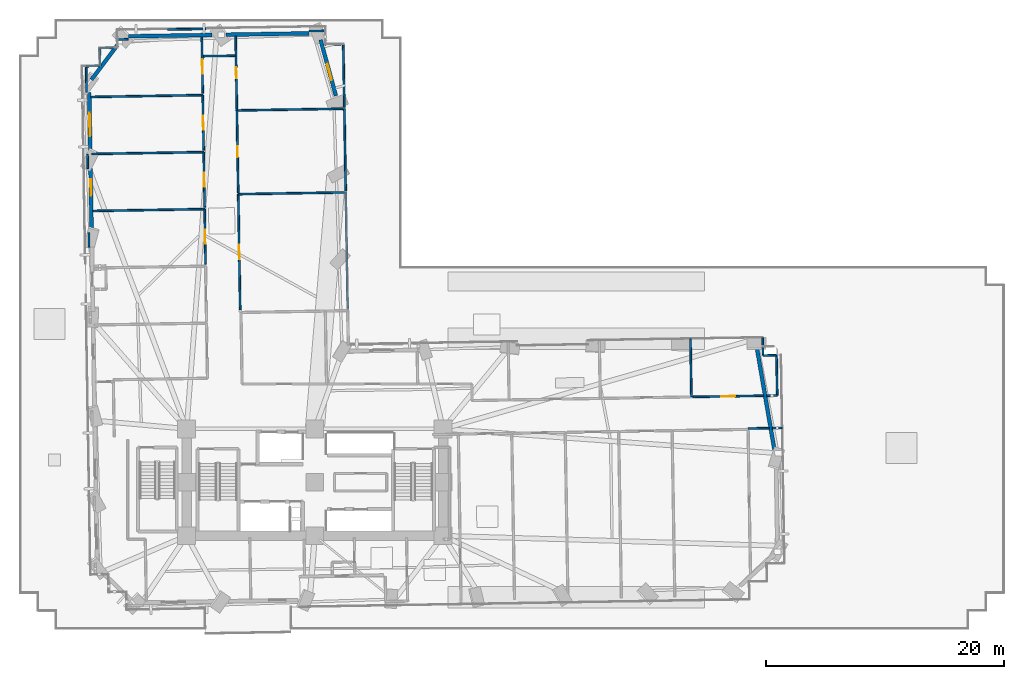
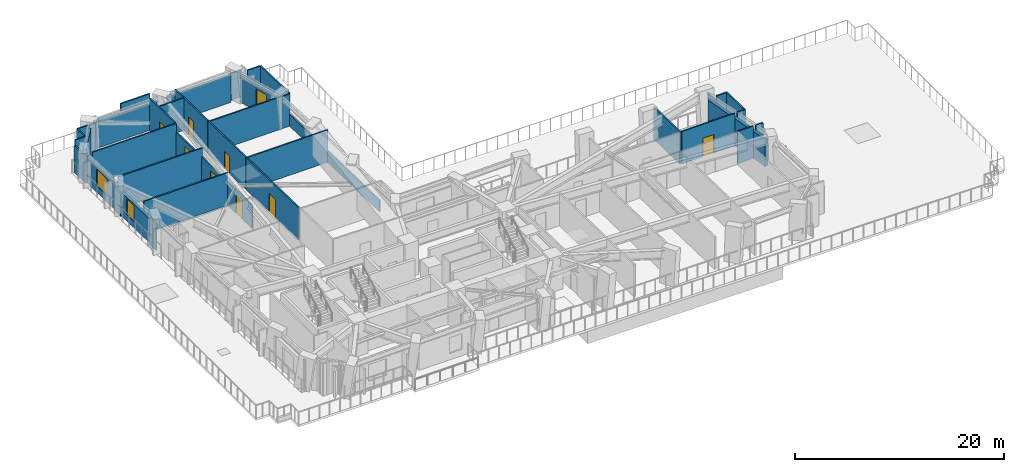
# One storey, part 9 of 17: 41 walls, 8 doors, 3 windows, 11 openings.
"""IFC4 building model written with IfcOpenShell, lengths in metres."""

from ifc_helpers import new_model, si_unit, direction, frame, frame_2d, origin, place, context, subcontext, project, spatial, rectangle, extrude, material, layer, layer_set, type_object, element, fill, save


model = new_model("IFC4")

# Units and contexts
model_context = context("Model", 3, precision=1e-05, world=origin(), true_north=direction((0.0, 1.0)))
body_context = subcontext(model_context, "Body", "Model", "MODEL_VIEW")
ifc_project = project(units=[si_unit("LENGTHUNIT", "METRE"), si_unit("AREAUNIT", "SQUARE_METRE"), si_unit("VOLUMEUNIT", "CUBIC_METRE"), si_unit("PLANEANGLEUNIT", "RADIAN"), si_unit("MASSUNIT", "GRAM", prefix="KILO")], contexts=[model_context])

# Site, building, storey
site_placement = place(None, origin())
site = spatial("IfcSite", under=ifc_project, at=site_placement, CompositionType="ELEMENT")
building_placement = place(site_placement, origin())
building = spatial("IfcBuilding", under=site, at=building_placement, Name="Gaonmaruhae Medical Tower", CompositionType="ELEMENT")
storey_placement = place(building_placement, frame((0.0, 0.0, 27.0)))
storey = spatial("IfcBuildingStorey", under=building, at=storey_placement, Name="L05", CompositionType="ELEMENT", Elevation=27.0)

# Wall
ifc_material_1 = material(Name="Precast concrete C45/55", Category="concrete")
ifc_layer_1 = layer(ifc_material_1, 0.320068359375)
ifc_layer_set_1 = layer_set([ifc_layer_1], Name="Precast concrete C45/55")
wall_type_1 = type_object("IfcWallType", Name="EW-320 Lower Precast Masonry-Frame Facade Wall", PredefinedType="SOLIDWALL", material=ifc_layer_set_1)
wall_1_placement = place(storey_placement, frame((62.031982421875, 23.55029296875, 0.0), z_axis=(0.0, 0.0, 1.0), x_axis=(0.169181724712, -0.985584874084, 0.0)))
element("IfcWall", 1, at=wall_1_placement, inside=storey, type_object=wall_type_1, Name="L05 Precast Masonry-Frame Wall E02-E03", PredefinedType="SOLIDWALL", context=body_context, shape_type="SweptSolid", body=[
    extrude(rectangle(XDim=8.61376953125, YDim=0.320068359375, at=frame_2d((4.306884765625, 0.0))), origin(), (0.0, 0.0, 1.0), 3.1650390625),
])

# Wall, opening, window
wall_2_placement = place(storey_placement, frame((25.28271484375, 49.55322265625, 0.0), z_axis=(0.0, 0.0, 1.0), x_axis=(0.264363677321, -0.964423063864, 0.0)))
wall_2 = element("IfcWall", 2, at=wall_2_placement, inside=storey, type_object=wall_type_1, Name="L05 Precast Masonry-Frame Wall NE03-N01", PredefinedType="SOLIDWALL", context=body_context, shape_type="SweptSolid", body=[
    extrude(rectangle(XDim=4.888916015625, YDim=0.320068359375, at=frame_2d((2.4443359375, 0.0))), origin(), (0.0, 0.0, 1.0), 3.1650390625),
])
opening_1_placement = place(wall_2_placement, frame((2.11474609375, 0.0, 0.75)))
opening_1 = element("IfcOpeningElement", 3, at=opening_1_placement, cuts=wall_2, Name="Opening WN-03", PredefinedType="OPENING", context=body_context, shape_type="SweptSolid", body=[
    extrude(rectangle(XDim=1.39990234375, YDim=1.85009765625, at=frame_2d((0.699951171875, 0.925048828125))), frame((0.0, 0.169921875, 0.0), z_axis=(0.0, -1.0, 0.0), x_axis=(1.0, 0.0, 0.0)), (0.0, 0.0, 1.0), 0.340087890625),
])
ifc_material_2 = material(Name="Anodised aluminium and Low-E double glazing", Category="aluminium")
window_type_1 = type_object("IfcWindowType", Name="WN-03 Isolation Ward Punched Window 1400x1850", PartitioningType="SINGLE_PANEL", PredefinedType="WINDOW", material=ifc_material_2)
window_1_placement = place(opening_1_placement, origin())
window_1 = element("IfcWindow", 4, at=window_1_placement, inside=storey, type_object=window_type_1, Name="L05 Modular Facade Window NE03", OverallHeight=1.85009765625, OverallWidth=1.39990234375, PartitioningType="SINGLE_PANEL", PredefinedType="WINDOW", context=body_context, shape_type="SweptSolid", body=[
    extrude(rectangle(XDim=1.39990234375, YDim=1.85009765625, at=frame_2d((0.699951171875, 0.925048828125))), frame((0.0, 0.030029296875, 0.0), z_axis=(0.0, -1.0, 0.0), x_axis=(1.0, 0.0, 0.0)), (0.0, 0.0, 1.0), 0.06005859375),
])
fill(opening_1, window_1)

# Walls
wall_3_placement = place(storey_placement, frame((17.312744140625, 49.9833984375, 0.0), z_axis=(0.0, 0.0, 1.0), x_axis=(0.999862299377, 0.016594646252, 0.0)))
element("IfcWall", 5, at=wall_3_placement, inside=storey, type_object=wall_type_1, Name="L05 Precast Masonry-Frame Wall N01-N02", PredefinedType="SOLIDWALL", context=body_context, shape_type="SweptSolid", body=[
    extrude(rectangle(XDim=7.0029296875, YDim=0.320068359375, at=frame_2d((3.50146484375, 0.0))), origin(), (0.0, 0.0, 1.0), 3.1650390625),
])
wall_4_placement = place(storey_placement, frame((9.094482421875, 49.84716796875, 0.0), z_axis=(0.0, 0.0, 1.0), x_axis=(0.999862390116, 0.016589178149, 0.0)))
element("IfcWall", 6, at=wall_4_placement, inside=storey, type_object=wall_type_1, Name="L05 Precast Masonry-Frame Wall N02-N03", PredefinedType="SOLIDWALL", context=body_context, shape_type="SweptSolid", body=[
    extrude(rectangle(XDim=7.03466796875, YDim=0.320068359375, at=frame_2d((3.517333984375, 0.0))), origin(), (0.0, 0.0, 1.0), 3.1650390625),
])
wall_5_placement = place(storey_placement, frame((5.987060546875, 46.1962890625, 0.0), z_axis=(0.0, 0.0, 1.0), x_axis=(0.601490696444, 0.798879804533, 0.0)))
element("IfcWall", 7, at=wall_5_placement, inside=storey, type_object=wall_type_1, Name="L05 Precast Masonry-Frame Wall N03-W01", PredefinedType="SOLIDWALL", context=body_context, shape_type="SweptSolid", body=[
    extrude(rectangle(XDim=3.666015625, YDim=0.320068359375, at=frame_2d((1.8330078125, 0.0))), origin(), (0.0, 0.0, 1.0), 3.1650390625),
])

# Wall, opening, window
wall_6_placement = place(storey_placement, frame((5.895751953125, 39.9091796875, 0.0), z_axis=(0.0, 0.0, 1.0), x_axis=(-0.016593479648, 0.999862318739, 0.0)))
wall_6 = element("IfcWall", 8, at=wall_6_placement, inside=storey, type_object=wall_type_1, Name="L05 Precast Masonry-Frame Wall W01-W02", PredefinedType="SOLIDWALL", context=body_context, shape_type="SweptSolid", body=[
    extrude(rectangle(XDim=5.22314453125, YDim=0.320068359375, at=frame_2d((2.611572265625, 0.0))), origin(), (0.0, 0.0, 1.0), 3.1650390625),
])
opening_2_placement = place(wall_6_placement, frame((1.513427734375, 0.0, 0.75)))
opening_2 = element("IfcOpeningElement", 9, at=opening_2_placement, cuts=wall_6, Name="Opening WN-02", PredefinedType="OPENING", context=body_context, shape_type="SweptSolid", body=[
    extrude(rectangle(XDim=2.0, YDim=1.949951171875, at=frame_2d((1.0, 0.97509765625))), frame((0.0, 0.169921875, 0.0), z_axis=(0.0, -1.0, 0.0), x_axis=(1.0, 0.0, 0.0)), (0.0, 0.0, 1.0), 0.340087890625),
])
window_type_2 = type_object("IfcWindowType", Name="WN-02 Double-Bed Ward Punched Window 2000x1950", PartitioningType="SINGLE_PANEL", PredefinedType="WINDOW", material=ifc_material_2)
window_2_placement = place(opening_2_placement, origin())
window_2 = element("IfcWindow", 10, at=window_2_placement, inside=storey, type_object=window_type_2, Name="L05 Modular Facade Window W01", OverallHeight=1.949951171875, OverallWidth=2.0, PartitioningType="SINGLE_PANEL", PredefinedType="WINDOW", context=body_context, shape_type="SweptSolid", body=[
    extrude(rectangle(XDim=2.0, YDim=1.949951171875, at=frame_2d((1.0, 0.97509765625))), frame((0.0, 0.030029296875, 0.0), z_axis=(0.0, -1.0, 0.0), x_axis=(1.0, 0.0, 0.0)), (0.0, 0.0, 1.0), 0.06005859375),
])
fill(opening_2, window_2)

wall_7_placement = place(storey_placement, frame((6.0048828125, 33.3193359375, 0.0), z_axis=(0.0, 0.0, 1.0), x_axis=(-0.016590536617, 0.999862367576, 0.0)))
wall_7 = element("IfcWall", 11, at=wall_7_placement, inside=storey, type_object=wall_type_1, Name="L05 Precast Masonry-Frame Wall W02-W03", PredefinedType="SOLIDWALL", context=body_context, shape_type="SweptSolid", body=[
    extrude(rectangle(XDim=5.400634765625, YDim=0.320068359375, at=frame_2d((2.7001953125, 0.0))), origin(), (0.0, 0.0, 1.0), 2.764892578125),
])
opening_3_placement = place(wall_7_placement, frame((3.094482421875, 0.0, 0.75)))
opening_3 = element("IfcOpeningElement", 12, at=opening_3_placement, cuts=wall_7, Name="Opening WN-03", PredefinedType="OPENING", context=body_context, shape_type="SweptSolid", body=[
    extrude(rectangle(XDim=1.39990234375, YDim=1.85009765625, at=frame_2d((0.699951171875, 0.925048828125))), frame((0.0, 0.169921875, 0.0), z_axis=(0.0, -1.0, 0.0), x_axis=(1.0, 0.0, 0.0)), (0.0, 0.0, 1.0), 0.340087890625),
])
window_3_placement = place(opening_3_placement, origin())
window_3 = element("IfcWindow", 13, at=window_3_placement, inside=storey, type_object=window_type_1, Name="L05 Modular Facade Window W02", OverallHeight=1.85009765625, OverallWidth=1.39990234375, PartitioningType="SINGLE_PANEL", PredefinedType="WINDOW", context=body_context, shape_type="SweptSolid", body=[
    extrude(rectangle(XDim=1.39990234375, YDim=1.85009765625, at=frame_2d((0.699951171875, 0.925048828125))), frame((0.0, 0.030029296875, 0.0), z_axis=(0.0, -1.0, 0.0), x_axis=(1.0, 0.0, 0.0)), (0.0, 0.0, 1.0), 0.06005859375),
])
fill(opening_3, window_3)

# Wall
ifc_material_3 = material(Name="Gypsum board partition", Category="gypsum")
ifc_layer_2 = layer(ifc_material_3, 0.14990234375)
ifc_layer_set_2 = layer_set([ifc_layer_2], Name="Gypsum board partition")
wall_type_2 = type_object("IfcWallType", Name="PW-150 Rated Clinical Corridor Partition", PredefinedType="PARTITIONING", material=ifc_layer_set_2)
wall_8_placement = place(storey_placement, frame((6.110107421875, 35.14599609375, 0.0), z_axis=(0.0, 0.0, 1.0), x_axis=(0.999862684094, 0.01657145001, 0.0)))
element("IfcWall", 14, at=wall_8_placement, inside=storey, type_object=wall_type_2, Name="L05 Interior Partition L05-WOF16-56", PredefinedType="PARTITIONING", context=body_context, shape_type="SweptSolid", body=[
    extrude(rectangle(XDim=9.4140625, YDim=0.14990234375, at=frame_2d((4.70703125, 0.0))), origin(), (0.0, 0.0, 1.0), 3.780029296875),
])

# Wall, opening, door
wall_9_placement = place(storey_placement, frame((15.52294921875, 35.302001953125, 0.0), z_axis=(0.0, 0.0, 1.0), x_axis=(0.016624905433, -0.99986179671, 0.0)))
wall_9 = element("IfcWall", 15, at=wall_9_placement, inside=storey, type_object=wall_type_2, Name="L05 Interior Partition L05-WOF16-57", PredefinedType="PARTITIONING", context=body_context, shape_type="SweptSolid", body=[
    extrude(rectangle(XDim=4.640625, YDim=0.14990234375, at=frame_2d((2.3203125, 0.0))), origin(), (0.0, 0.0, 1.0), 2.764892578125),
])
opening_4_placement = place(wall_9_placement, frame((1.72021484375, 0.0, 0.0)))
opening_4 = element("IfcOpeningElement", 16, at=opening_4_placement, cuts=wall_9, Name="Opening CD-02", PredefinedType="OPENING", context=body_context, shape_type="SweptSolid", body=[
    extrude(rectangle(XDim=1.199951171875, YDim=2.14990234375, at=frame_2d((0.60009765625, 1.074951171875))), frame((0.0, 0.0849609375, 0.0), z_axis=(0.0, -1.0, 0.0), x_axis=(1.0, 0.0, 0.0)), (0.0, 0.0, 1.0), 0.169921875),
])
ifc_material_4 = material(Name="Antimicrobial laminate timber fire door", Category="wood")
door_type_1 = type_object("IfcDoorType", Name="CD-02 Clinical Treatment & Procedure Door 1200x2150", OperationType="NOTDEFINED", PredefinedType="DOOR", material=ifc_material_4)
door_1_placement = place(opening_4_placement, origin())
door_1 = element("IfcDoor", 17, at=door_1_placement, inside=storey, type_object=door_type_1, Name="L05 Ward Physician Reporting Office Door", OperationType="SINGLE_SWING_RIGHT", OverallHeight=2.14990234375, OverallWidth=1.199951171875, PredefinedType="DOOR", context=body_context, shape_type="SweptSolid", body=[
    extrude(rectangle(XDim=1.199951171875, YDim=2.14990234375, at=frame_2d((0.60009765625, 1.074951171875))), frame((0.0, 0.02490234375, 0.0), z_axis=(0.0, -1.0, 0.0), x_axis=(1.0, 0.0, 0.0)), (0.0, 0.0, 1.0), 0.050048828125),
])
fill(opening_4, door_1)

# Walls
wall_10_placement = place(storey_placement, frame((5.794921875, 32.10791015625, 0.0), z_axis=(0.0, 0.0, 1.0), x_axis=(-0.016570077195, 0.999862706846, 0.0)))
element("IfcWall", 18, at=wall_10_placement, inside=storey, type_object=wall_type_2, Name="L05 Interior Partition L05-WOF16-59", PredefinedType="PARTITIONING", context=body_context, shape_type="SweptSolid", body=[
    extrude(rectangle(XDim=1.208251953125, YDim=0.14990234375, at=frame_2d((0.60400390625, 0.0))), origin(), (0.0, 0.0, 1.0), 3.1650390625),
])
wall_11_placement = place(storey_placement, frame((6.030029296875, 39.945068359375, 0.0), z_axis=(0.0, 0.0, 1.0), x_axis=(0.999862719696, 0.016569301812, 0.0)))
element("IfcWall", 19, at=wall_11_placement, inside=storey, type_object=wall_type_2, Name="L05 Interior Partition L05-WOF17-60", PredefinedType="PARTITIONING", context=body_context, shape_type="SweptSolid", body=[
    extrude(rectangle(XDim=9.415283203125, YDim=0.14990234375, at=frame_2d((4.70751953125, 0.0))), origin(), (0.0, 0.0, 1.0), 3.780029296875),
])

# Wall, opening, door
wall_12_placement = place(storey_placement, frame((15.444091796875, 40.10107421875, 0.0), z_axis=(0.0, 0.0, 1.0), x_axis=(0.016574925131, -0.999862626493, 0.0)))
wall_12 = element("IfcWall", 20, at=wall_12_placement, inside=storey, type_object=wall_type_2, Name="L05 Interior Partition L05-WOF17-61", PredefinedType="PARTITIONING", context=body_context, shape_type="SweptSolid", body=[
    extrude(rectangle(XDim=4.639892578125, YDim=0.14990234375, at=frame_2d((2.31982421875, 0.0))), origin(), (0.0, 0.0, 1.0), 2.764892578125),
])
opening_5_placement = place(wall_12_placement, frame((1.7197265625, 0.0, 0.0)))
opening_5 = element("IfcOpeningElement", 21, at=opening_5_placement, cuts=wall_12, Name="Opening CD-02", PredefinedType="OPENING", context=body_context, shape_type="SweptSolid", body=[
    extrude(rectangle(XDim=1.199951171875, YDim=2.14990234375, at=frame_2d((0.60009765625, 1.074951171875))), frame((0.0, 0.0849609375, 0.0), z_axis=(0.0, -1.0, 0.0), x_axis=(1.0, 0.0, 0.0)), (0.0, 0.0, 1.0), 0.169921875),
])
door_2_placement = place(opening_5_placement, origin())
door_2 = element("IfcDoor", 22, at=door_2_placement, inside=storey, type_object=door_type_1, Name="L05 Ward Physician Reporting Office Door", OperationType="SINGLE_SWING_RIGHT", OverallHeight=2.14990234375, OverallWidth=1.199951171875, PredefinedType="DOOR", context=body_context, shape_type="SweptSolid", body=[
    extrude(rectangle(XDim=1.199951171875, YDim=2.14990234375, at=frame_2d((0.60009765625, 1.074951171875))), frame((0.0, 0.02490234375, 0.0), z_axis=(0.0, -1.0, 0.0), x_axis=(1.0, 0.0, 0.0)), (0.0, 0.0, 1.0), 0.050048828125),
])
fill(opening_5, door_2)

# Walls
wall_13_placement = place(storey_placement, frame((5.68505859375, 38.715087890625, 0.0), z_axis=(0.0, 0.0, 1.0), x_axis=(-0.016001233857, 0.999871972062, 0.0)))
element("IfcWall", 23, at=wall_13_placement, inside=storey, type_object=wall_type_2, Name="L05 Interior Partition L05-WOF17-62", PredefinedType="PARTITIONING", context=body_context, shape_type="SweptSolid", body=[
    extrude(rectangle(XDim=1.190185546875, YDim=0.14990234375, at=frame_2d((0.59521484375, 0.0))), origin(), (0.0, 0.0, 1.0), 2.764892578125),
])
wall_14_placement = place(storey_placement, frame((5.950927734375, 44.743896484375, 0.0), z_axis=(0.0, 0.0, 1.0), x_axis=(0.999862691216, 0.016571020326, 0.0)))
element("IfcWall", 24, at=wall_14_placement, inside=storey, type_object=wall_type_2, Name="L05 Interior Partition L05-WOF18-63", PredefinedType="PARTITIONING", context=body_context, shape_type="SweptSolid", body=[
    extrude(rectangle(XDim=9.414306640625, YDim=0.14990234375, at=frame_2d((4.70703125, 0.0))), origin(), (0.0, 0.0, 1.0), 3.780029296875),
])

# Wall, opening, door
wall_15_placement = place(storey_placement, frame((15.364013671875, 44.89990234375, 0.0), z_axis=(0.0, 0.0, 1.0), x_axis=(0.01657579721, -0.999862612036, 0.0)))
wall_15 = element("IfcWall", 25, at=wall_15_placement, inside=storey, type_object=wall_type_2, Name="L05 Interior Partition L05-WOF18-64", PredefinedType="PARTITIONING", context=body_context, shape_type="SweptSolid", body=[
    extrude(rectangle(XDim=4.6396484375, YDim=0.14990234375, at=frame_2d((2.31982421875, 0.0))), origin(), (0.0, 0.0, 1.0), 2.764892578125),
])
opening_6_placement = place(wall_15_placement, frame((1.7197265625, 0.0, 0.0)))
opening_6 = element("IfcOpeningElement", 26, at=opening_6_placement, cuts=wall_15, Name="Opening CD-02", PredefinedType="OPENING", context=body_context, shape_type="SweptSolid", body=[
    extrude(rectangle(XDim=1.199951171875, YDim=2.14990234375, at=frame_2d((0.60009765625, 1.074951171875))), frame((0.0, 0.0849609375, 0.0), z_axis=(0.0, -1.0, 0.0), x_axis=(1.0, 0.0, 0.0)), (0.0, 0.0, 1.0), 0.169921875),
])
door_3_placement = place(opening_6_placement, origin())
door_3 = element("IfcDoor", 27, at=door_3_placement, inside=storey, type_object=door_type_1, Name="L05 Ward Physician Reporting Office Door", OperationType="SINGLE_SWING_RIGHT", OverallHeight=2.14990234375, OverallWidth=1.199951171875, PredefinedType="DOOR", context=body_context, shape_type="SweptSolid", body=[
    extrude(rectangle(XDim=1.199951171875, YDim=2.14990234375, at=frame_2d((0.60009765625, 1.074951171875))), frame((0.0, 0.02490234375, 0.0), z_axis=(0.0, -1.0, 0.0), x_axis=(1.0, 0.0, 0.0)), (0.0, 0.0, 1.0), 0.050048828125),
])
fill(opening_6, door_3)

# Walls
wall_16_placement = place(storey_placement, frame((6.697021484375, 48.85693359375, 0.0), z_axis=(0.0, 0.0, 1.0), x_axis=(0.999860245801, 0.016717920509, 0.0)))
element("IfcWall", 28, at=wall_16_placement, inside=storey, type_object=wall_type_2, Name="L05 Interior Partition L05-WOF19-65", PredefinedType="PARTITIONING", context=body_context, shape_type="SweptSolid", body=[
    extrude(rectangle(XDim=1.13916015625, YDim=0.14990234375, at=frame_2d((0.569580078125, 0.0))), origin(), (0.0, 0.0, 1.0), 3.780029296875),
])
wall_17_placement = place(storey_placement, frame((8.18603515625, 49.58203125, 0.0), z_axis=(0.0, 0.0, 1.0), x_axis=(0.999867015865, 0.016307991435, 0.0)))
element("IfcWall", 29, at=wall_17_placement, inside=storey, type_object=wall_type_2, Name="L05 Interior Partition L05-WOF19-66", PredefinedType="PARTITIONING", context=body_context, shape_type="SweptSolid", body=[
    extrude(rectangle(XDim=0.9130859375, YDim=0.14990234375, at=frame_2d((0.45654296875, 0.0))), origin(), (0.0, 0.0, 1.0), 3.1650390625),
])

# Wall, opening, door
wall_18_placement = place(storey_placement, frame((15.283935546875, 49.7900390625, 0.0), z_axis=(0.0, 0.0, 1.0), x_axis=(0.016514728978, -0.999863622564, 0.0)))
wall_18 = element("IfcWall", 30, at=wall_18_placement, inside=storey, type_object=wall_type_2, Name="L05 Interior Partition L05-WOF19-67", PredefinedType="PARTITIONING", context=body_context, shape_type="SweptSolid", body=[
    extrude(rectangle(XDim=4.730712890625, YDim=0.14990234375, at=frame_2d((2.365234375, 0.0))), origin(), (0.0, 0.0, 1.0), 3.780029296875),
])
opening_7_placement = place(wall_18_placement, frame((1.89013671875, 0.0, 0.0)))
opening_7 = element("IfcOpeningElement", 31, at=opening_7_placement, cuts=wall_18, Name="Opening CD-02", PredefinedType="OPENING", context=body_context, shape_type="SweptSolid", body=[
    extrude(rectangle(XDim=1.199951171875, YDim=2.14990234375, at=frame_2d((0.60009765625, 1.074951171875))), frame((0.0, 0.0849609375, 0.0), z_axis=(0.0, -1.0, 0.0), x_axis=(1.0, 0.0, 0.0)), (0.0, 0.0, 1.0), 0.169921875),
])
door_4_placement = place(opening_7_placement, origin())
door_4 = element("IfcDoor", 32, at=door_4_placement, inside=storey, type_object=door_type_1, Name="L05 Ward Physician Reporting Office Door", OperationType="SINGLE_SWING_RIGHT", OverallHeight=2.14990234375, OverallWidth=1.199951171875, PredefinedType="DOOR", context=body_context, shape_type="SweptSolid", body=[
    extrude(rectangle(XDim=1.199951171875, YDim=2.14990234375, at=frame_2d((0.60009765625, 1.074951171875))), frame((0.0, 0.02490234375, 0.0), z_axis=(0.0, -1.0, 0.0), x_axis=(1.0, 0.0, 0.0)), (0.0, 0.0, 1.0), 0.050048828125),
])
fill(opening_7, door_4)

# Walls
wall_19_placement = place(storey_placement, frame((5.5791015625, 45.1279296875, 0.0), z_axis=(0.0, 0.0, 1.0), x_axis=(-0.016789502325, 0.999859046372, 0.0)))
element("IfcWall", 33, at=wall_19_placement, inside=storey, type_object=wall_type_2, Name="L05 Interior Partition L05-WOF19-68", PredefinedType="PARTITIONING", context=body_context, shape_type="SweptSolid", body=[
    extrude(rectangle(XDim=2.210205078125, YDim=0.14990234375, at=frame_2d((1.10498046875, 0.0))), origin(), (0.0, 0.0, 1.0), 3.1650390625),
])
wall_20_placement = place(storey_placement, frame((5.5419921875, 47.337890625, 0.0), z_axis=(0.0, 0.0, 1.0), x_axis=(0.99986290296, 0.016558239157, 0.0)))
element("IfcWall", 34, at=wall_20_placement, inside=storey, type_object=wall_type_2, Name="L05 Interior Partition L05-WOF19-69", PredefinedType="PARTITIONING", context=body_context, shape_type="SweptSolid", body=[
    extrude(rectangle(XDim=1.150146484375, YDim=0.14990234375, at=frame_2d((0.5751953125, 0.0))), origin(), (0.0, 0.0, 1.0), 3.780029296875),
])
wall_21_placement = place(storey_placement, frame((6.720947265625, 47.39599609375, 0.0), z_axis=(0.0, 0.0, 1.0), x_axis=(-0.016374809581, 0.999865923817, 0.0)))
element("IfcWall", 35, at=wall_21_placement, inside=storey, type_object=wall_type_2, Name="L05 Interior Partition L05-WOF19-70", PredefinedType="PARTITIONING", context=body_context, shape_type="SweptSolid", body=[
    extrude(rectangle(XDim=1.461181640625, YDim=0.14990234375, at=frame_2d((0.73046875, 0.0))), origin(), (0.0, 0.0, 1.0), 3.780029296875),
])
wall_22_placement = place(storey_placement, frame((56.426025390625, 24.3779296875, 0.0), z_axis=(0.0, 0.0, 1.0), x_axis=(0.016576997782, -0.999862592132, 0.0)))
element("IfcWall", 36, at=wall_22_placement, inside=storey, type_object=wall_type_2, Name="L05 Interior Partition L05-IE05-88", PredefinedType="PARTITIONING", context=body_context, shape_type="SweptSolid", body=[
    extrude(rectangle(XDim=4.8896484375, YDim=0.14990234375, at=frame_2d((2.44482421875, 0.0))), origin(), (0.0, 0.0, 1.0), 3.780029296875),
])
wall_23_placement = place(storey_placement, frame((62.533935546875, 22.97900390625, 0.0), z_axis=(0.0, 0.0, 1.0), x_axis=(0.999860544838, 0.016700026231, 0.0)))
element("IfcWall", 37, at=wall_23_placement, inside=storey, type_object=wall_type_2, Name="L05 Interior Partition L05-IE06-89", PredefinedType="PARTITIONING", context=body_context, shape_type="SweptSolid", body=[
    extrude(rectangle(XDim=1.140380859375, YDim=0.14990234375, at=frame_2d((0.5703125, 0.0))), origin(), (0.0, 0.0, 1.0), 3.780029296875),
])
wall_24_placement = place(storey_placement, frame((63.674072265625, 22.998046875, 0.0), z_axis=(0.0, 0.0, 1.0), x_axis=(0.016493938061, -0.999863965751, 0.0)))
element("IfcWall", 38, at=wall_24_placement, inside=storey, type_object=wall_type_2, Name="L05 Interior Partition L05-IE06-90", PredefinedType="PARTITIONING", context=body_context, shape_type="SweptSolid", body=[
    extrude(rectangle(XDim=3.3896484375, YDim=0.14990234375, at=frame_2d((1.69482421875, 0.0))), origin(), (0.0, 0.0, 1.0), 3.780029296875),
])
wall_25_placement = place(storey_placement, frame((63.72998046875, 19.60888671875, 0.0), z_axis=(0.0, 0.0, 1.0), x_axis=(-0.999857504577, -0.016881070517, 0.0)))
element("IfcWall", 39, at=wall_25_placement, inside=storey, type_object=wall_type_2, Name="L05 Interior Partition L05-IE06-91", PredefinedType="PARTITIONING", context=body_context, shape_type="SweptSolid", body=[
    extrude(rectangle(XDim=0.88232421875, YDim=0.14990234375, at=frame_2d((0.441162109375, 0.0))), origin(), (0.0, 0.0, 1.0), 3.780029296875),
])

# Wall, opening, door
wall_26_placement = place(storey_placement, frame((62.574951171875, 19.590087890625, 0.0), z_axis=(0.0, 0.0, 1.0), x_axis=(-0.999861174228, -0.016662300896, 0.0)))
wall_26 = element("IfcWall", 40, at=wall_26_placement, inside=storey, type_object=wall_type_2, Name="L05 Interior Partition L05-IE06-92", PredefinedType="PARTITIONING", context=body_context, shape_type="SweptSolid", body=[
    extrude(rectangle(XDim=5.94873046875, YDim=0.14990234375, at=frame_2d((2.974365234375, 0.0))), origin(), (0.0, 0.0, 1.0), 3.780029296875),
])
opening_8_placement = place(wall_26_placement, frame((2.37451171875, 0.0, 0.0)))
opening_8 = element("IfcOpeningElement", 41, at=opening_8_placement, cuts=wall_26, Name="Opening CD-02", PredefinedType="OPENING", context=body_context, shape_type="SweptSolid", body=[
    extrude(rectangle(XDim=1.199951171875, YDim=2.14990234375, at=frame_2d((0.60009765625, 1.074951171875))), frame((0.0, 0.0849609375, 0.0), z_axis=(0.0, -1.0, 0.0), x_axis=(1.0, 0.0, 0.0)), (0.0, 0.0, 1.0), 0.169921875),
])
door_5_placement = place(opening_8_placement, origin())
door_5 = element("IfcDoor", 42, at=door_5_placement, inside=storey, type_object=door_type_1, Name="L05 Multidisciplinary Clinical Consultation Room Door", OperationType="SINGLE_SWING_LEFT", OverallHeight=2.14990234375, OverallWidth=1.199951171875, PredefinedType="DOOR", context=body_context, shape_type="SweptSolid", body=[
    extrude(rectangle(XDim=1.199951171875, YDim=2.14990234375, at=frame_2d((0.60009765625, 1.074951171875))), frame((0.0, 0.02490234375, 0.0), z_axis=(0.0, -1.0, 0.0), x_axis=(1.0, 0.0, 0.0)), (0.0, 0.0, 1.0), 0.050048828125),
])
fill(opening_8, door_5)

# Wall
wall_27_placement = place(storey_placement, frame((62.509033203125, 24.47900390625, 0.0), z_axis=(0.0, 0.0, 1.0), x_axis=(0.016599275179, -0.99986222254, 0.0)))
element("IfcWall", 43, at=wall_27_placement, inside=storey, type_object=wall_type_2, Name="L05 Interior Partition L05-IE06-93", PredefinedType="PARTITIONING", context=body_context, shape_type="SweptSolid", body=[
    extrude(rectangle(XDim=1.500244140625, YDim=0.14990234375, at=frame_2d((0.75, 0.0))), origin(), (0.0, 0.0, 1.0), 3.1650390625),
])

# Wall, opening, door
wall_28_placement = place(storey_placement, frame((18.514892578125, 26.81005859375, 0.0), z_axis=(0.0, 0.0, 1.0), x_axis=(-0.016600937475, 0.999862194942, 0.0)))
wall_28 = element("IfcWall", 44, at=wall_28_placement, inside=storey, type_object=wall_type_2, Name="L05 Interior Partition L05-IN01-94", PredefinedType="PARTITIONING", context=body_context, shape_type="SweptSolid", body=[
    extrude(rectangle(XDim=9.75048828125, YDim=0.14990234375, at=frame_2d((4.875244140625, 0.0))), origin(), (0.0, 0.0, 1.0), 3.780029296875),
])
opening_9_placement = place(wall_28_placement, frame((4.275146484375, 0.0, 0.0)))
opening_9 = element("IfcOpeningElement", 45, at=opening_9_placement, cuts=wall_28, Name="Opening CD-02", PredefinedType="OPENING", context=body_context, shape_type="SweptSolid", body=[
    extrude(rectangle(XDim=1.199951171875, YDim=2.14990234375, at=frame_2d((0.60009765625, 1.074951171875))), frame((0.0, 0.0849609375, 0.0), z_axis=(0.0, -1.0, 0.0), x_axis=(1.0, 0.0, 0.0)), (0.0, 0.0, 1.0), 0.169921875),
])
door_6_placement = place(opening_9_placement, origin())
door_6 = element("IfcDoor", 46, at=door_6_placement, inside=storey, type_object=door_type_1, Name="L05 Physician Consultation Office Door", OperationType="SINGLE_SWING_RIGHT", OverallHeight=2.14990234375, OverallWidth=1.199951171875, PredefinedType="DOOR", context=body_context, shape_type="SweptSolid", body=[
    extrude(rectangle(XDim=1.199951171875, YDim=2.14990234375, at=frame_2d((0.60009765625, 1.074951171875))), frame((0.0, 0.02490234375, 0.0), z_axis=(0.0, -1.0, 0.0), x_axis=(1.0, 0.0, 0.0)), (0.0, 0.0, 1.0), 0.050048828125),
])
fill(opening_9, door_6)

# Walls
wall_29_placement = place(storey_placement, frame((18.35302734375, 36.55908203125, 0.0), z_axis=(0.0, 0.0, 1.0), x_axis=(0.999862820452, 0.016563220606, 0.0)))
element("IfcWall", 47, at=wall_29_placement, inside=storey, type_object=wall_type_2, Name="L05 Interior Partition L05-IN01-95", PredefinedType="PARTITIONING", context=body_context, shape_type="SweptSolid", body=[
    extrude(rectangle(XDim=9.05029296875, YDim=0.14990234375, at=frame_2d((4.525146484375, 0.0))), origin(), (0.0, 0.0, 1.0), 3.780029296875),
])
wall_30_placement = place(storey_placement, frame((27.402099609375, 36.708984375, 0.0), z_axis=(0.0, 0.0, 1.0), x_axis=(0.016500808342, -0.999863852394, 0.0)))
element("IfcWall", 48, at=wall_30_placement, inside=storey, type_object=wall_type_2, Name="L05 Interior Partition L05-IN01-96", PredefinedType="PARTITIONING", context=body_context, shape_type="SweptSolid", body=[
    extrude(rectangle(XDim=9.750244140625, YDim=0.14990234375, at=frame_2d((4.875, 0.0))), origin(), (0.0, 0.0, 1.0), 1.364990234375),
])

# Wall, opening, door
wall_31_placement = place(storey_placement, frame((18.35107421875, 36.678955078125, 0.0), z_axis=(0.0, 0.0, 1.0), x_axis=(-0.016593324877, 0.999862321307, 0.0)))
wall_31 = element("IfcWall", 49, at=wall_31_placement, inside=storey, type_object=wall_type_2, Name="L05 Interior Partition L05-IN02-97", PredefinedType="PARTITIONING", context=body_context, shape_type="SweptSolid", body=[
    extrude(rectangle(XDim=6.929931640625, YDim=0.14990234375, at=frame_2d((3.46484375, 0.0))), origin(), (0.0, 0.0, 1.0), 3.780029296875),
])
opening_10_placement = place(wall_31_placement, frame((3.0048828125, 0.0, 0.0)))
opening_10 = element("IfcOpeningElement", 50, at=opening_10_placement, cuts=wall_31, Name="Opening UD-01", PredefinedType="OPENING", context=body_context, shape_type="SweptSolid", body=[
    extrude(rectangle(XDim=0.919921875, YDim=2.10009765625, at=frame_2d((0.4599609375, 1.050048828125))), frame((0.0, 0.0849609375, 0.0), z_axis=(0.0, -1.0, 0.0), x_axis=(1.0, 0.0, 0.0)), (0.0, 0.0, 1.0), 0.169921875),
])
ifc_material_5 = material(Name="Powder-coated steel utility door", Category="steel")
door_type_2 = type_object("IfcDoorType", Name="UD-01 Toilet, Utility & Housekeeping Door 920x2100", OperationType="NOTDEFINED", PredefinedType="DOOR", material=ifc_material_5)
door_7_placement = place(opening_10_placement, origin())
door_7 = element("IfcDoor", 51, at=door_7_placement, inside=storey, type_object=door_type_2, Name="L05 Ward Nutrition Pantry Door", OperationType="SINGLE_SWING_RIGHT", OverallHeight=2.10009765625, OverallWidth=0.919921875, PredefinedType="DOOR", context=body_context, shape_type="SweptSolid", body=[
    extrude(rectangle(XDim=0.919921875, YDim=2.10009765625, at=frame_2d((0.4599609375, 1.050048828125))), frame((0.0, 0.02490234375, 0.0), z_axis=(0.0, -1.0, 0.0), x_axis=(1.0, 0.0, 0.0)), (0.0, 0.0, 1.0), 0.050048828125),
])
fill(opening_10, door_7)

# Walls
wall_32_placement = place(storey_placement, frame((18.236083984375, 43.60791015625, 0.0), z_axis=(0.0, 0.0, 1.0), x_axis=(0.999862365917, 0.016590636603, 0.0)))
element("IfcWall", 52, at=wall_32_placement, inside=storey, type_object=wall_type_2, Name="L05 Interior Partition L05-IN02-98", PredefinedType="PARTITIONING", context=body_context, shape_type="SweptSolid", body=[
    extrude(rectangle(XDim=9.050048828125, YDim=0.14990234375, at=frame_2d((4.52490234375, 0.0))), origin(), (0.0, 0.0, 1.0), 3.780029296875),
])
wall_33_placement = place(storey_placement, frame((27.284912109375, 43.758056640625, 0.0), z_axis=(0.0, 0.0, 1.0), x_axis=(0.016593324877, -0.999862321307, 0.0)))
element("IfcWall", 53, at=wall_33_placement, inside=storey, type_object=wall_type_2, Name="L05 Interior Partition L05-IN02-99", PredefinedType="PARTITIONING", context=body_context, shape_type="SweptSolid", body=[
    extrude(rectangle(XDim=6.929931640625, YDim=0.14990234375, at=frame_2d((3.46484375, 0.0))), origin(), (0.0, 0.0, 1.0), 1.364990234375),
])
wall_34_placement = place(storey_placement, frame((27.195068359375, 49.197021484375, 0.0), z_axis=(0.0, 0.0, 1.0), x_axis=(0.016521359741, -0.999863513022, 0.0)))
element("IfcWall", 54, at=wall_34_placement, inside=storey, type_object=wall_type_2, Name="L05 Interior Partition L05-IN03-100", PredefinedType="PARTITIONING", context=body_context, shape_type="SweptSolid", body=[
    extrude(rectangle(XDim=5.31982421875, YDim=0.14990234375, at=frame_2d((2.659912109375, 0.0))), origin(), (0.0, 0.0, 1.0), 3.780029296875),
])

# Wall, opening, door
wall_35_placement = place(storey_placement, frame((18.23388671875, 43.72802734375, 0.0), z_axis=(0.0, 0.0, 1.0), x_axis=(-0.016594729483, 0.999862297996, 0.0)))
wall_35 = element("IfcWall", 55, at=wall_35_placement, inside=storey, type_object=wall_type_2, Name="L05 Interior Partition L05-IN03-101", PredefinedType="PARTITIONING", context=body_context, shape_type="SweptSolid", body=[
    extrude(rectangle(XDim=6.134765625, YDim=0.14990234375, at=frame_2d((3.0673828125, 0.0))), origin(), (0.0, 0.0, 1.0), 3.780029296875),
])
opening_11_placement = place(wall_35_placement, frame((2.607421875, 0.0, 0.0)))
opening_11 = element("IfcOpeningElement", 56, at=opening_11_placement, cuts=wall_35, Name="Opening UD-01", PredefinedType="OPENING", context=body_context, shape_type="SweptSolid", body=[
    extrude(rectangle(XDim=0.919921875, YDim=2.10009765625, at=frame_2d((0.4599609375, 1.050048828125))), frame((0.0, 0.0849609375, 0.0), z_axis=(0.0, -1.0, 0.0), x_axis=(1.0, 0.0, 0.0)), (0.0, 0.0, 1.0), 0.169921875),
])
door_8_placement = place(opening_11_placement, origin())
door_8 = element("IfcDoor", 57, at=door_8_placement, inside=storey, type_object=door_type_2, Name="L05 Public Visitor Toilet Door", OperationType="SINGLE_SWING_RIGHT", OverallHeight=2.10009765625, OverallWidth=0.919921875, PredefinedType="DOOR", context=body_context, shape_type="SweptSolid", body=[
    extrude(rectangle(XDim=0.919921875, YDim=2.10009765625, at=frame_2d((0.4599609375, 1.050048828125))), frame((0.0, 0.02490234375, 0.0), z_axis=(0.0, -1.0, 0.0), x_axis=(1.0, 0.0, 0.0)), (0.0, 0.0, 1.0), 0.050048828125),
])
fill(opening_11, door_8)

# Walls
wall_36_placement = place(storey_placement, frame((24.31201171875, 50.2890625, 0.0), z_axis=(0.0, 0.0, 1.0), x_axis=(0.999858493569, 0.016822390978, 0.0)))
element("IfcWall", 58, at=wall_36_placement, inside=storey, type_object=wall_type_2, Name="L05 Interior Partition L05-IN03-102", PredefinedType="PARTITIONING", context=body_context, shape_type="SweptSolid", body=[
    extrude(rectangle(XDim=1.3642578125, YDim=0.14990234375, at=frame_2d((0.68212890625, 0.0))), origin(), (0.0, 0.0, 1.0), 3.1650390625),
])
wall_37_placement = place(storey_placement, frame((25.695068359375, 49.172119140625, 0.0), z_axis=(0.0, 0.0, 1.0), x_axis=(0.999863884737, 0.01649884841, 0.0)))
element("IfcWall", 59, at=wall_37_placement, inside=storey, type_object=wall_type_2, Name="L05 Interior Partition L05-IN03-104", PredefinedType="PARTITIONING", context=body_context, shape_type="SweptSolid", body=[
    extrude(rectangle(XDim=1.4501953125, YDim=0.14990234375, at=frame_2d((0.72509765625, 0.0))), origin(), (0.0, 0.0, 1.0), 3.780029296875),
])
wall_38_placement = place(storey_placement, frame((18.0859375, 48.2099609375, 0.0), z_axis=(0.0, 0.0, 1.0), x_axis=(-0.999944966203, -0.010491166054, 0.0)))
element("IfcWall", 60, at=wall_38_placement, inside=storey, type_object=wall_type_2, Name="L05 Interior Partition L05-RM01-105", PredefinedType="PARTITIONING", context=body_context, shape_type="SweptSolid", body=[
    extrude(rectangle(XDim=2.67626953125, YDim=0.14990234375, at=frame_2d((1.338134765625, 0.0))), origin(), (0.0, 0.0, 1.0), 3.780029296875),
])
wall_39_placement = place(storey_placement, frame((12.402099609375, 50.422119140625, 0.0), z_axis=(0.0, 0.0, 1.0), x_axis=(0.99986023523, 0.016718552772, 0.0)))
element("IfcWall", 61, at=wall_39_placement, inside=storey, type_object=wall_type_2, Name="L05 Interior Partition L05-RM01-106", PredefinedType="PARTITIONING", context=body_context, shape_type="SweptSolid", body=[
    extrude(rectangle(XDim=3.227294921875, YDim=0.14990234375, at=frame_2d((1.61376953125, 0.0))), origin(), (0.0, 0.0, 1.0), 3.780029296875),
])
wall_40_placement = place(storey_placement, frame((61.27587890625, 16.827880859375, 0.0), z_axis=(0.0, 0.0, 1.0), x_axis=(0.999865023255, 0.016429706955, 0.0)))
element("IfcWall", 62, at=wall_40_placement, inside=storey, type_object=wall_type_2, Name="L05 Interior Partition L05-RM02-109", PredefinedType="PARTITIONING", context=body_context, shape_type="SweptSolid", body=[
    extrude(rectangle(XDim=1.768310546875, YDim=0.14990234375, at=frame_2d((0.88427734375, 0.0))), origin(), (0.0, 0.0, 1.0), 3.780029296875),
])
wall_41_placement = place(storey_placement, frame((63.31689453125, 16.861083984375, 0.0), z_axis=(0.0, 0.0, 1.0), x_axis=(0.999855708529, 0.01698711636, 0.0)))
element("IfcWall", 63, at=wall_41_placement, inside=storey, type_object=wall_type_2, Name="L05 Interior Partition L05-RM02-110", PredefinedType="PARTITIONING", context=body_context, shape_type="SweptSolid", body=[
    extrude(rectangle(XDim=0.819091796875, YDim=0.14990234375, at=frame_2d((0.40966796875, 0.0))), origin(), (0.0, 0.0, 1.0), 3.780029296875),
])

save(model, "model.ifc")
